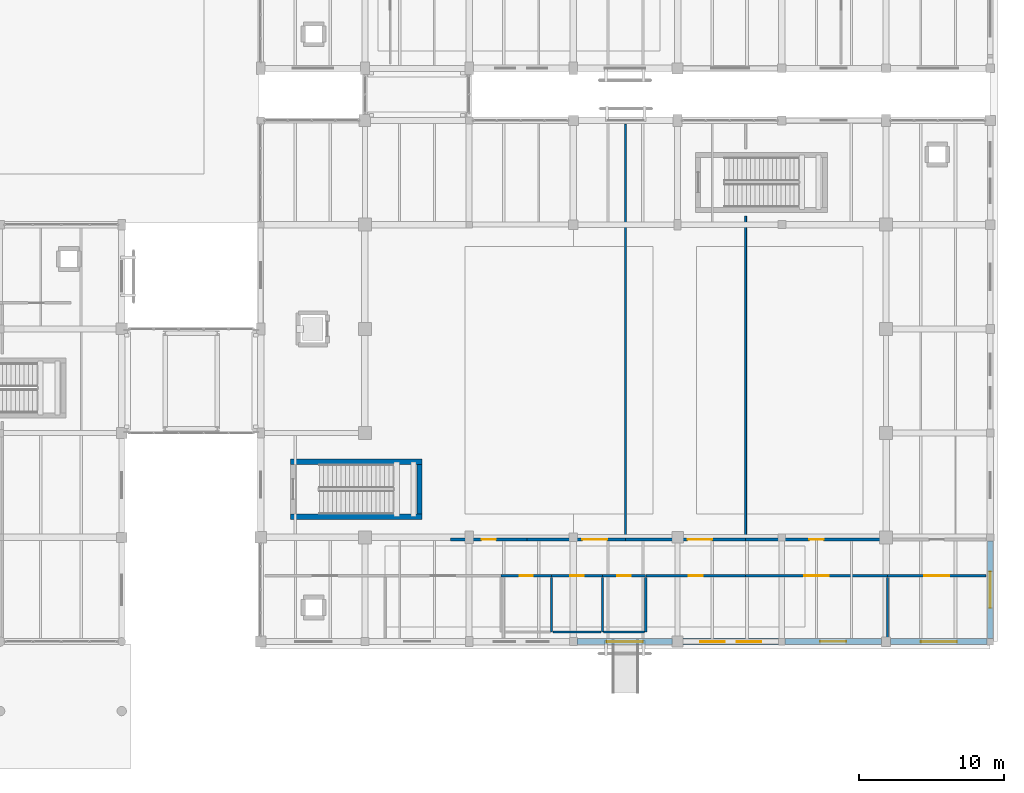
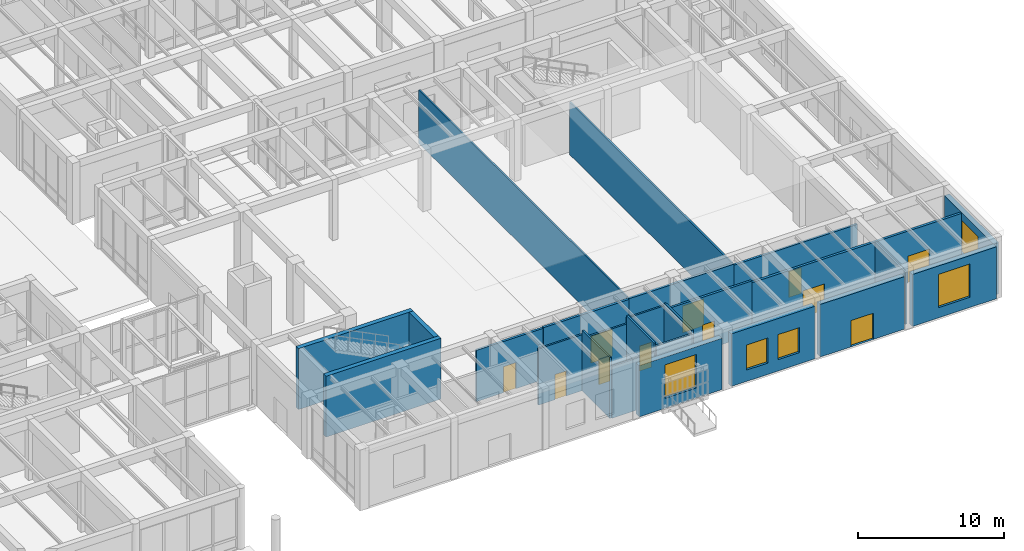
# One storey, part 129 of 169: 26 walls, 11 doors, 5 windows, 16 openings.
"""IFC4 building model written with IfcOpenShell, lengths in metres."""

import ifcopenshell
import ifcopenshell.guid

model = None  # the IFC model being written
_history = None  # IfcOwnerHistory: only IFC2X3 demands one
_inside = {}  # id of a spatial element -> (the spatial element, [elements in it])
_under = {}  # id of a project, library or spatial element -> (it, [spatial elements below it])
_declared = {}  # id of a project -> (the project, [libraries it declares])
_typed = {}  # id of a type object -> (the type object, [elements of that type])
_made_of = {}  # id of a material, layer set ... -> (it, [elements and type objects made of it])


def new_model(schema):
    """Start an empty IFC model of exactly this schema.

    Asked for "IFC4X3", IfcOpenShell would pick the latest addendum, in which some entities
    have other attributes; the version numbers below select the first issue.
    IFC2X3 requires an IfcOwnerHistory on every rooted entity: one is made here for all.
    """
    global model, _history
    if schema == "IFC4X3":
        model = ifcopenshell.file(schema_version=(4, 3, 0, 0))
    else:
        model = ifcopenshell.file(schema=schema)
    _inside.clear()
    _under.clear()
    _declared.clear()
    _typed.clear()
    _made_of.clear()
    _history = None
    if model.schema == "IFC2X3":
        org = make("IfcOrganization", Name="unknown")
        user = make(
            "IfcPersonAndOrganization",
            ThePerson=make("IfcPerson", FamilyName="unknown"),
            TheOrganization=org,
        )
        app = make(
            "IfcApplication",
            ApplicationDeveloper=org,
            Version="unknown",
            ApplicationFullName="unknown",
            ApplicationIdentifier="unknown",
        )
        _history = make(
            "IfcOwnerHistory",
            OwningUser=user,
            OwningApplication=app,
            ChangeAction="ADDED",
            CreationDate=0,
        )
    return model


def make(cls, **values):
    """One entity of the class cls with the attributes given. An attribute that is None is left unset."""
    return model.create_entity(
        cls, **{name: value for name, value in values.items() if value is not None}
    )


def rooted(cls, **values):
    """An entity with a GlobalId (a new one), such as an element, a storey or a relation."""
    return make(cls, GlobalId=ifcopenshell.guid.new(), OwnerHistory=_history, **values)


def si_unit(unit_type, name, prefix=None):
    """IfcSIUnit, for example si_unit("LENGTHUNIT", "METRE", prefix="MILLI")."""
    return make("IfcSIUnit", UnitType=unit_type, Prefix=prefix, Name=name)


def assignment(units):
    """IfcUnitAssignment: the units of a project."""
    return None if units is None else make("IfcUnitAssignment", Units=units)


def point(xyz):
    """IfcCartesianPoint."""
    return None if xyz is None else make("IfcCartesianPoint", Coordinates=xyz)


def direction(xyz):
    """IfcDirection."""
    return None if xyz is None else make("IfcDirection", DirectionRatios=xyz)


def frame(location, z_axis=None, x_axis=None):
    """IfcAxis2Placement3D, a coordinate frame: its origin and axes. An axis left out is left unset."""
    return make(
        "IfcAxis2Placement3D",
        Location=point(location),
        Axis=direction(z_axis),
        RefDirection=direction(x_axis),
    )


def frame_2d(location, x_axis=None):
    """IfcAxis2Placement2D, a coordinate frame in the plane: its origin and x axis."""
    return make(
        "IfcAxis2Placement2D", Location=point(location), RefDirection=direction(x_axis)
    )


def origin():
    """The frame at (0, 0, 0) with its axes left unset."""
    return frame((0.0, 0.0, 0.0))


def place(relative_to, where):
    """IfcLocalPlacement: puts the frame where relative to a parent placement (None: the world)."""
    return make(
        "IfcLocalPlacement", PlacementRelTo=relative_to, RelativePlacement=where
    )


def context(
    kind, dimensions, precision=None, world=None, true_north=None, identifier=None
):
    """IfcGeometricRepresentationContext, for example the 3D "Model" context."""
    return make(
        "IfcGeometricRepresentationContext",
        ContextIdentifier=identifier,
        ContextType=kind,
        CoordinateSpaceDimension=dimensions,
        Precision=precision,
        WorldCoordinateSystem=world,
        TrueNorth=true_north,
    )


def subcontext(parent, identifier, kind, view, scale=None):
    """IfcGeometricRepresentationSubContext, for example "Body" below "Model"."""
    return make(
        "IfcGeometricRepresentationSubContext",
        ContextIdentifier=identifier,
        ContextType=kind,
        ParentContext=parent,
        TargetScale=scale,
        TargetView=view,
    )


def project(units=None, contexts=None):
    """IfcProject with its units and contexts."""
    return rooted(
        "IfcProject",
        Name="project",
        RepresentationContexts=contexts,
        UnitsInContext=assignment(units),
    )


def spatial(cls, under=None, at=None, **own):
    """A site, building, storey or space (cls), placed at a placement, below another one or the project."""
    s = rooted(cls, ObjectPlacement=at, **own)
    if under is not None:
        _under.setdefault(under.id(), (under, []))[1].append(s)
    return s


def profile(cls, at=None, kind="AREA", **sizes):
    """A parametric profile (cls). Its sizes go by their IFC names, for example OverallWidth=200.0."""
    return make(cls, ProfileType=kind, Position=at, **sizes)


def rectangle(**sizes):
    """IfcRectangleProfileDef."""
    return profile("IfcRectangleProfileDef", **sizes)


def extrude(swept, where, along, depth):
    """IfcExtrudedAreaSolid: the profile swept, set in the frame where, extruded along a direction by depth."""
    return make(
        "IfcExtrudedAreaSolid",
        SweptArea=swept,
        Position=where,
        ExtrudedDirection=direction(along),
        Depth=depth,
    )


def shape(context_of_items, identifier, shape_type, items):
    """IfcShapeRepresentation: the items that make up one representation, for example the "Body"."""
    return make(
        "IfcShapeRepresentation",
        ContextOfItems=context_of_items,
        RepresentationIdentifier=identifier,
        RepresentationType=shape_type,
        Items=items,
    )


def material(Name=None, Category=None):
    """IfcMaterial."""
    return make("IfcMaterial", Name=Name, Category=Category)


def layer(
    of_material, thickness, ventilated=None, Name=None, Category=None, Priority=None
):
    """IfcMaterialLayer: one layer of a wall or slab, of a material (None: an air gap)."""
    return make(
        "IfcMaterialLayer",
        Material=of_material,
        LayerThickness=thickness,
        IsVentilated=ventilated,
        Name=Name,
        Category=Category,
        Priority=Priority,
    )


def layer_set(layers, Name=None):
    """IfcMaterialLayerSet."""
    return make("IfcMaterialLayerSet", MaterialLayers=layers, LayerSetName=Name)


def made_of(thing, what):
    """Note that an element or type object is made of a material, layer set ...; save() writes the relation."""
    if what is not None:
        _made_of.setdefault(what.id(), (what, []))[1].append(thing)
    return thing


def type_object(cls, material=None, **own):
    """A type object (cls), such as IfcWallType, which elements share."""
    return made_of(rooted(cls, **own), material)


def element(
    cls,
    number,
    at=None,
    inside=None,
    cuts=None,
    type_object=None,
    material=None,
    context=None,
    identifier="Body",
    shape_type=None,
    held_by="IfcProductDefinitionShape",
    body=None,
    shapes=None,
    **own,
):
    """One element of the class cls, such as IfcWall. Its Tag is "e" and its number.

    at: its placement. inside: the storey or other place that contains it. cuts: it is an
    opening in that element (IfcRelVoidsElement). A single representation is given by context,
    identifier, shape_type and body (its items); several are given by shapes. held_by: the class
    of the entity that holds the representations. save() writes the other relations.
    """
    e = rooted(cls, Tag="e%d" % number, ObjectPlacement=at, **own)
    if body is not None:
        shapes = [shape(context, identifier, shape_type, body)]
    if shapes is not None:
        e.Representation = make(held_by, Representations=shapes)
    if inside is not None:
        _inside.setdefault(inside.id(), (inside, []))[1].append(e)
    if cuts is not None:
        rooted(
            "IfcRelVoidsElement", RelatingBuildingElement=cuts, RelatedOpeningElement=e
        )
    if type_object is not None:
        _typed.setdefault(type_object.id(), (type_object, []))[1].append(e)
    return made_of(e, material)


def fill(opening, filler):
    """IfcRelFillsElement: the door or window that sits in an opening."""
    return rooted(
        "IfcRelFillsElement",
        RelatingOpeningElement=opening,
        RelatedBuildingElement=filler,
    )


def aggregate(whole, parts):
    """IfcRelAggregates: a whole, such as a stair, and the parts it consists of."""
    return rooted("IfcRelAggregates", RelatingObject=whole, RelatedObjects=parts)


def save(model, path):
    """Write the relations noted so far, then the file.

    IfcRelAggregates (storeys below a building ...), IfcRelContainedInSpatialStructure (elements
    in a storey), IfcRelDefinesByType, IfcRelAssociatesMaterial and IfcRelDeclares: one each for
    every whole, place, type object, material and project.
    """
    for whole, parts in _under.values():
        aggregate(whole, parts)
    for where, things in _inside.values():
        rooted(
            "IfcRelContainedInSpatialStructure",
            RelatedElements=things,
            RelatingStructure=where,
        )
    for kind, things in _typed.values():
        rooted("IfcRelDefinesByType", RelatedObjects=things, RelatingType=kind)
    for what, things in _made_of.values():
        rooted("IfcRelAssociatesMaterial", RelatedObjects=things, RelatingMaterial=what)
    for by, libraries in _declared.values():
        rooted("IfcRelDeclares", RelatingContext=by, RelatedDefinitions=libraries)
    model.write(path)


model = new_model("IFC4")

# Units and contexts
model_context = context("Model", 3, precision=1e-05, world=origin(), true_north=direction((0.0, 1.0)))
body_context = subcontext(model_context, "Body", "Model", "MODEL_VIEW")
ifc_project = project(units=[si_unit("LENGTHUNIT", "METRE"), si_unit("AREAUNIT", "SQUARE_METRE"), si_unit("VOLUMEUNIT", "CUBIC_METRE"), si_unit("PLANEANGLEUNIT", "RADIAN"), si_unit("MASSUNIT", "GRAM", prefix="KILO")], contexts=[model_context])

# Site, building, storey
site_placement = place(None, origin())
site = spatial("IfcSite", under=ifc_project, at=site_placement, CompositionType="ELEMENT")
building_placement = place(site_placement, origin())
building = spatial("IfcBuilding", under=site, at=building_placement, Name="Mazaris Harbour Polytechnic", CompositionType="ELEMENT")
storey_placement = place(building_placement, origin())
storey = spatial("IfcBuildingStorey", under=building, at=storey_placement, Name="L00", CompositionType="ELEMENT", Elevation=0.0)

# Walls
ifc_material_1 = material(Name="Gypsum Board and Mineral Wool")
ifc_layer_1 = layer(ifc_material_1, 0.1201171875, Name="Gypsum Board and Mineral Wool")
ifc_layer_set_1 = layer_set([ifc_layer_1], Name="Gypsum Board and Mineral Wool")
wall_type_1 = type_object("IfcWallType", Name="Acoustic Stud Partition 120", PredefinedType="PARTITIONING", material=ifc_layer_set_1)
wall_1_placement = place(storey_placement, frame((147.60009765625, 14.3701171875, 0.0), z_axis=(0.0, 0.0, 1.0), x_axis=(0.0, 1.0, 0.0)))
element("IfcWall", 1, at=wall_1_placement, inside=storey, type_object=wall_type_1, Name="V2 L00 Partition 113", PredefinedType="PARTITIONING", context=body_context, shape_type="SweptSolid", body=[
    extrude(rectangle(XDim=28.579833984375, YDim=0.1201171875, at=frame_2d((14.2900390625, 0.0))), origin(), (0.0, 0.0, 1.0), 4.449951171875),
])
ifc_material_2 = material(Name="Double Gypsum and Mineral Wool")
ifc_layer_2 = layer(ifc_material_2, 0.14990234375, Name="Double Gypsum and Mineral Wool")
ifc_layer_set_2 = layer_set([ifc_layer_2], Name="Double Gypsum and Mineral Wool")
wall_type_2 = type_object("IfcWallType", Name="Classroom Acoustic Partition 150", PredefinedType="PARTITIONING", material=ifc_layer_set_2)
wall_2_placement = place(storey_placement, frame((165.697021484375, 7.449951171875, 0.0), z_axis=(0.0, 0.0, 1.0), x_axis=(0.0, 1.0, 0.0)))
element("IfcWall", 2, at=wall_2_placement, inside=storey, type_object=wall_type_2, Name="V2 L00 Partition 109", PredefinedType="PARTITIONING", context=body_context, shape_type="SweptSolid", body=[
    extrude(rectangle(XDim=4.179931640625, YDim=0.14990234375, at=frame_2d((2.08984375, 0.0))), origin(), (0.0, 0.0, 1.0), 4.35009765625),
])

# Wall, opening, door
ifc_material_3 = material(Name="Terracotta Block and Plaster", Category="masonry")
ifc_layer_3 = layer(ifc_material_3, 0.179931640625, Name="Terracotta Block and Plaster")
ifc_layer_set_3 = layer_set([ifc_layer_3], Name="Terracotta Block and Plaster")
wall_type_3 = type_object("IfcWallType", Name="Corridor Fire Partition 180", PredefinedType="PARTITIONING", material=ifc_layer_set_3)
wall_3_placement = place(storey_placement, frame((149.0048828125, 11.75, 0.0), z_axis=(0.0, 0.0, 1.0), x_axis=(1.0, 0.0, 0.0)))
wall_3 = element("IfcWall", 3, at=wall_3_placement, inside=storey, type_object=wall_type_3, Name="V2 L00 Partition 107", PredefinedType="PARTITIONING", context=body_context, shape_type="SweptSolid", body=[
    extrude(rectangle(XDim=6.89501953125, YDim=0.179931640625, at=frame_2d((3.447509765625, 0.0))), origin(), (0.0, 0.0, 1.0), 4.5),
])
opening_1_placement = place(wall_3_placement, frame((2.95751953125, 0.0, 0.0)))
opening_1 = element("IfcOpeningElement", 4, at=opening_1_placement, cuts=wall_3, Name="Opening ID-08L", PredefinedType="OPENING", context=body_context, shape_type="SweptSolid", body=[
    extrude(rectangle(XDim=0.97998046875, YDim=2.179931640625, at=frame_2d((0.489990234375, 1.08984375))), frame((0.0, 0.099853515625, 0.0), z_axis=(0.0, -1.0, 0.0), x_axis=(1.0, 0.0, 0.0)), (0.0, 0.0, 1.0), 0.199951171875),
])
ifc_material_4 = material(Name="Solid Oak Timber", Category="wood")
door_type_1 = type_object("IfcDoorType", Name="Seminar Room Door LH 980x2180", OperationType="SINGLE_SWING_LEFT", PredefinedType="DOOR", material=ifc_material_4)
door_1_placement = place(opening_1_placement, origin())
door_1 = element("IfcDoor", 5, at=door_1_placement, inside=storey, type_object=door_type_1, Name="ID-0049", OperationType="SINGLE_SWING_LEFT", OverallHeight=2.179931640625, OverallWidth=0.97998046875, PredefinedType="DOOR", context=body_context, shape_type="SweptSolid", body=[
    extrude(rectangle(XDim=0.97998046875, YDim=2.179931640625, at=frame_2d((0.489990234375, 1.08984375))), frame((0.0, 0.02490234375, 0.0), z_axis=(0.0, -1.0, 0.0), x_axis=(1.0, 0.0, 0.0)), (0.0, 0.0, 1.0), 0.050048828125),
])
fill(opening_1, door_1)

wall_4_placement = place(storey_placement, frame((135.52001953125, 14.25, 0.0), z_axis=(0.0, 0.0, 1.0), x_axis=(1.0, 0.0, 0.0)))
wall_4 = element("IfcWall", 6, at=wall_4_placement, inside=storey, type_object=wall_type_3, Name="V2 L00 Partition 111", PredefinedType="PARTITIONING", context=body_context, shape_type="SweptSolid", body=[
    extrude(rectangle(XDim=5.277099609375, YDim=0.179931640625, at=frame_2d((2.638671875, 0.0))), origin(), (0.0, 0.0, 1.0), 4.300048828125),
])
opening_2_placement = place(wall_4_placement, frame((2.1484375, 0.0, 0.0)))
opening_2 = element("IfcOpeningElement", 7, at=opening_2_placement, cuts=wall_4, Name="Opening ID-08L", PredefinedType="OPENING", context=body_context, shape_type="SweptSolid", body=[
    extrude(rectangle(XDim=0.97998046875, YDim=2.179931640625, at=frame_2d((0.489990234375, 1.08984375))), frame((0.0, 0.099853515625, 0.0), z_axis=(0.0, -1.0, 0.0), x_axis=(1.0, 0.0, 0.0)), (0.0, 0.0, 1.0), 0.199951171875),
])
door_2_placement = place(opening_2_placement, origin())
door_2 = element("IfcDoor", 8, at=door_2_placement, inside=storey, type_object=door_type_1, Name="ID-0052", OperationType="SINGLE_SWING_LEFT", OverallHeight=2.179931640625, OverallWidth=0.97998046875, PredefinedType="DOOR", context=body_context, shape_type="SweptSolid", body=[
    extrude(rectangle(XDim=0.97998046875, YDim=2.179931640625, at=frame_2d((0.489990234375, 1.08984375))), frame((0.0, 0.02490234375, 0.0), z_axis=(0.0, -1.0, 0.0), x_axis=(1.0, 0.0, 0.0)), (0.0, 0.0, 1.0), 0.050048828125),
])
fill(opening_2, door_2)

wall_5_placement = place(storey_placement, frame((155.905029296875, 14.25, 0.0), z_axis=(0.0, 0.0, 1.0), x_axis=(1.0, 0.0, 0.0)))
wall_5 = element("IfcWall", 9, at=wall_5_placement, inside=storey, type_object=wall_type_3, Name="V2 L00 Partition 116", PredefinedType="PARTITIONING", context=body_context, shape_type="SweptSolid", body=[
    extrude(rectangle(XDim=9.7919921875, YDim=0.179931640625, at=frame_2d((4.89599609375, 0.0))), origin(), (0.0, 0.0, 1.0), 4.300048828125),
])
opening_3_placement = place(wall_5_placement, frame((4.40087890625, 0.0, 0.0)))
opening_3 = element("IfcOpeningElement", 10, at=opening_3_placement, cuts=wall_5, Name="Opening ID-08R", PredefinedType="OPENING", context=body_context, shape_type="SweptSolid", body=[
    extrude(rectangle(XDim=0.989990234375, YDim=2.179931640625, at=frame_2d((0.4951171875, 1.08984375))), frame((0.0, 0.099853515625, 0.0), z_axis=(0.0, -1.0, 0.0), x_axis=(1.0, 0.0, 0.0)), (0.0, 0.0, 1.0), 0.199951171875),
])
ifc_material_5 = material(Name="Solid Oak Timber", Category="wood")
door_type_2 = type_object("IfcDoorType", Name="Seminar Room Door RH 990x2180", OperationType="SINGLE_SWING_RIGHT", PredefinedType="DOOR", material=ifc_material_5)
door_3_placement = place(opening_3_placement, origin())
door_3 = element("IfcDoor", 11, at=door_3_placement, inside=storey, type_object=door_type_2, Name="ID-0055", OperationType="SINGLE_SWING_RIGHT", OverallHeight=2.179931640625, OverallWidth=0.989990234375, PredefinedType="DOOR", context=body_context, shape_type="SweptSolid", body=[
    extrude(rectangle(XDim=0.989990234375, YDim=2.179931640625, at=frame_2d((0.4951171875, 1.08984375))), frame((0.0, 0.02490234375, 0.0), z_axis=(0.0, -1.0, 0.0), x_axis=(1.0, 0.0, 0.0)), (0.0, 0.0, 1.0), 0.050048828125),
])
fill(opening_3, door_3)

ifc_material_6 = material(Name="High-Density Masonry and Mineral Wool", Category="masonry")
ifc_layer_4 = layer(ifc_material_6, 0.195068359375, Name="High-Density Masonry and Mineral Wool")
ifc_layer_set_4 = layer_set([ifc_layer_4], Name="High-Density Masonry and Mineral Wool")
wall_type_4 = type_object("IfcWallType", Name="Lecture Theatre Acoustic Wall 195", PredefinedType="PARTITIONING", material=ifc_layer_set_4)
wall_6_placement = place(storey_placement, frame((155.905029296875, 11.75, 0.0), z_axis=(0.0, 0.0, 1.0), x_axis=(1.0, 0.0, 0.0)))
wall_6 = element("IfcWall", 12, at=wall_6_placement, inside=storey, type_object=wall_type_4, Name="V2 L00 Partition 108", PredefinedType="PARTITIONING", context=body_context, shape_type="SweptSolid", body=[
    extrude(rectangle(XDim=9.7919921875, YDim=0.195068359375, at=frame_2d((4.89599609375, 0.0))), origin(), (0.0, 0.0, 1.0), 4.35009765625),
])
opening_4_placement = place(wall_6_placement, frame((4.0458984375, 0.0, 0.0)))
opening_4 = element("IfcOpeningElement", 13, at=opening_4_placement, cuts=wall_6, Name="Opening ID-04D", PredefinedType="OPENING", context=body_context, shape_type="SweptSolid", body=[
    extrude(rectangle(XDim=1.699951171875, YDim=2.25, at=frame_2d((0.85009765625, 1.125))), frame((0.0, 0.107421875, 0.0), z_axis=(0.0, -1.0, 0.0), x_axis=(1.0, 0.0, 0.0)), (0.0, 0.0, 1.0), 0.215087890625),
])
ifc_material_7 = material(Name="Acoustic Oak Timber", Category="wood")
door_type_3 = type_object("IfcDoorType", Name="Lecture Theatre Acoustic Double Door 1700x2250", OperationType="DOUBLE_DOOR_SINGLE_SWING", PredefinedType="DOOR", material=ifc_material_7)
door_4_placement = place(opening_4_placement, origin())
door_4 = element("IfcDoor", 14, at=door_4_placement, inside=storey, type_object=door_type_3, Name="ID-0050", OperationType="DOUBLE_DOOR_SINGLE_SWING", OverallHeight=2.25, OverallWidth=1.699951171875, PredefinedType="DOOR", context=body_context, shape_type="SweptSolid", body=[
    extrude(rectangle(XDim=1.699951171875, YDim=2.25, at=frame_2d((0.85009765625, 1.125))), frame((0.0, 0.02490234375, 0.0), z_axis=(0.0, -1.0, 0.0), x_axis=(1.0, 0.0, 0.0)), (0.0, 0.0, 1.0), 0.050048828125),
])
fill(opening_4, door_4)

wall_7_placement = place(storey_placement, frame((165.701904296875, 11.75, 0.0), z_axis=(0.0, 0.0, 1.0), x_axis=(1.0, 0.0, 0.0)))
wall_7 = element("IfcWall", 15, at=wall_7_placement, inside=storey, type_object=wall_type_4, Name="V2 L00 Partition 110", PredefinedType="PARTITIONING", context=body_context, shape_type="SweptSolid", body=[
    extrude(rectangle(XDim=6.798095703125, YDim=0.195068359375, at=frame_2d((3.39892578125, 0.0))), origin(), (0.0, 0.0, 1.0), 4.35009765625),
])
opening_5_placement = place(wall_7_placement, frame((2.549072265625, 0.0, 0.0)))
opening_5 = element("IfcOpeningElement", 16, at=opening_5_placement, cuts=wall_7, Name="Opening ID-04D", PredefinedType="OPENING", context=body_context, shape_type="SweptSolid", body=[
    extrude(rectangle(XDim=1.699951171875, YDim=2.25, at=frame_2d((0.85009765625, 1.125))), frame((0.0, 0.107421875, 0.0), z_axis=(0.0, -1.0, 0.0), x_axis=(1.0, 0.0, 0.0)), (0.0, 0.0, 1.0), 0.215087890625),
])
door_5_placement = place(opening_5_placement, origin())
door_5 = element("IfcDoor", 17, at=door_5_placement, inside=storey, type_object=door_type_3, Name="ID-0051", OperationType="DOUBLE_DOOR_SINGLE_SWING", OverallHeight=2.25, OverallWidth=1.699951171875, PredefinedType="DOOR", context=body_context, shape_type="SweptSolid", body=[
    extrude(rectangle(XDim=1.699951171875, YDim=2.25, at=frame_2d((0.85009765625, 1.125))), frame((0.0, 0.02490234375, 0.0), z_axis=(0.0, -1.0, 0.0), x_axis=(1.0, 0.0, 0.0)), (0.0, 0.0, 1.0), 0.050048828125),
])
fill(opening_5, door_5)

wall_8_placement = place(storey_placement, frame((140.802001953125, 14.25, 0.0), z_axis=(0.0, 0.0, 1.0), x_axis=(1.0, 0.0, 0.0)))
wall_8 = element("IfcWall", 18, at=wall_8_placement, inside=storey, type_object=wall_type_4, Name="V2 L00 Partition 112", PredefinedType="PARTITIONING", context=body_context, shape_type="SweptSolid", body=[
    extrude(rectangle(XDim=6.798095703125, YDim=0.195068359375, at=frame_2d((3.39892578125, 0.0))), origin(), (0.0, 0.0, 1.0), 4.35009765625),
])
opening_6_placement = place(wall_8_placement, frame((3.823486328125, 0.0, 0.0)))
opening_6 = element("IfcOpeningElement", 19, at=opening_6_placement, cuts=wall_8, Name="Opening ID-04D", PredefinedType="OPENING", context=body_context, shape_type="SweptSolid", body=[
    extrude(rectangle(XDim=1.699951171875, YDim=2.25, at=frame_2d((0.85009765625, 1.125))), frame((0.0, 0.107421875, 0.0), z_axis=(0.0, -1.0, 0.0), x_axis=(1.0, 0.0, 0.0)), (0.0, 0.0, 1.0), 0.215087890625),
])
door_6_placement = place(opening_6_placement, origin())
door_6 = element("IfcDoor", 20, at=door_6_placement, inside=storey, type_object=door_type_3, Name="ID-0053", OperationType="DOUBLE_DOOR_SINGLE_SWING", OverallHeight=2.25, OverallWidth=1.699951171875, PredefinedType="DOOR", context=body_context, shape_type="SweptSolid", body=[
    extrude(rectangle(XDim=1.699951171875, YDim=2.25, at=frame_2d((0.85009765625, 1.125))), frame((0.0, 0.02490234375, 0.0), z_axis=(0.0, -1.0, 0.0), x_axis=(1.0, 0.0, 0.0)), (0.0, 0.0, 1.0), 0.050048828125),
])
fill(opening_6, door_6)

wall_9_placement = place(storey_placement, frame((147.60498046875, 14.25, 0.0), z_axis=(0.0, 0.0, 1.0), x_axis=(1.0, 0.0, 0.0)))
wall_9 = element("IfcWall", 21, at=wall_9_placement, inside=storey, type_object=wall_type_4, Name="V2 L00 Partition 114", PredefinedType="PARTITIONING", context=body_context, shape_type="SweptSolid", body=[
    extrude(rectangle(XDim=8.294921875, YDim=0.195068359375, at=frame_2d((4.1474609375, 0.0))), origin(), (0.0, 0.0, 1.0), 4.39990234375),
])
opening_7_placement = place(wall_9_placement, frame((4.286865234375, 0.0, 0.0)))
opening_7 = element("IfcOpeningElement", 22, at=opening_7_placement, cuts=wall_9, Name="Opening ID-04D", PredefinedType="OPENING", context=body_context, shape_type="SweptSolid", body=[
    extrude(rectangle(XDim=1.699951171875, YDim=2.25, at=frame_2d((0.85009765625, 1.125))), frame((0.0, 0.107421875, 0.0), z_axis=(0.0, -1.0, 0.0), x_axis=(1.0, 0.0, 0.0)), (0.0, 0.0, 1.0), 0.215087890625),
])
door_7_placement = place(opening_7_placement, origin())
door_7 = element("IfcDoor", 23, at=door_7_placement, inside=storey, type_object=door_type_3, Name="ID-0054", OperationType="DOUBLE_DOOR_SINGLE_SWING", OverallHeight=2.25, OverallWidth=1.699951171875, PredefinedType="DOOR", context=body_context, shape_type="SweptSolid", body=[
    extrude(rectangle(XDim=1.699951171875, YDim=2.25, at=frame_2d((0.85009765625, 1.125))), frame((0.0, 0.02490234375, 0.0), z_axis=(0.0, -1.0, 0.0), x_axis=(1.0, 0.0, 0.0)), (0.0, 0.0, 1.0), 0.050048828125),
])
fill(opening_7, door_7)

# Wall, opening, window
ifc_material_8 = material(Name="Algerian Buff Limestone and Concrete C35/45", Category="masonry")
ifc_layer_5 = layer(ifc_material_8, 0.409912109375, Name="Algerian Buff Limestone and Concrete C35/45")
ifc_layer_set_5 = layer_set([ifc_layer_5], Name="Algerian Buff Limestone and Concrete C35/45")
wall_type_5 = type_object("IfcWallType", Name="Limestone Rusticated Base Wall 410", PredefinedType="STANDARD", material=ifc_layer_set_5)
wall_10_placement = place(storey_placement, frame((150.8330078125, 7.199951171875, 0.0), z_axis=(0.0, 0.0, 1.0), x_axis=(-1.0, 0.0, 0.0)))
wall_10 = element("IfcWall", 24, at=wall_10_placement, inside=storey, type_object=wall_type_5, Name="V2 L00 Exterior Wall 38", PredefinedType="STANDARD", context=body_context, shape_type="SweptSolid", body=[
    extrude(rectangle(XDim=6.56591796875, YDim=0.409912109375, at=frame_2d((3.282958984375, 0.0))), origin(), (0.0, 0.0, 1.0), 4.300048828125),
])
opening_8_placement = place(wall_10_placement, frame((2.032958984375, 0.0, 0.85009765625)))
opening_8 = element("IfcOpeningElement", 25, at=opening_8_placement, cuts=wall_10, Name="Opening WN-18", PredefinedType="OPENING", context=body_context, shape_type="SweptSolid", body=[
    extrude(rectangle(XDim=2.5, YDim=2.800048828125, at=frame_2d((1.25, 1.39990234375))), frame((0.0, 0.21484375, 0.0), z_axis=(0.0, -1.0, 0.0), x_axis=(1.0, 0.0, 0.0)), (0.0, 0.0, 1.0), 0.429931640625),
])
ifc_material_9 = material(Name="Thermally Broken Bronze Aluminium and Low-E Glass", Category="aluminium")
window_type_1 = type_object("IfcWindowType", Name="Pavilion Foyer Window 2500x2800", PartitioningType="DOUBLE_PANEL_VERTICAL", PredefinedType="WINDOW", material=ifc_material_9)
window_1_placement = place(opening_8_placement, origin())
window_1 = element("IfcWindow", 26, at=window_1_placement, inside=storey, type_object=window_type_1, Name="WN-0028", OverallHeight=2.800048828125, OverallWidth=2.5, PartitioningType="DOUBLE_PANEL_VERTICAL", PredefinedType="WINDOW", context=body_context, shape_type="SweptSolid", body=[
    extrude(rectangle(XDim=2.5, YDim=2.800048828125, at=frame_2d((1.25, 1.39990234375))), frame((0.0, 0.030029296875, 0.0), z_axis=(0.0, -1.0, 0.0), x_axis=(1.0, 0.0, 0.0)), (0.0, 0.0, 1.0), 0.06005859375),
])
fill(opening_8, window_1)

# Wall, openings, windows
wall_11_placement = place(storey_placement, frame((158.18310546875, 7.199951171875, 0.0), z_axis=(0.0, 0.0, 1.0), x_axis=(-1.0, 0.0, 0.0)))
wall_11 = element("IfcWall", 27, at=wall_11_placement, inside=storey, type_object=wall_type_5, Name="V2 L00 Exterior Wall 39", PredefinedType="STANDARD", context=body_context, shape_type="SweptSolid", body=[
    extrude(rectangle(XDim=6.6162109375, YDim=0.409912109375, at=frame_2d((3.30810546875, 0.0))), origin(), (0.0, 0.0, 1.0), 4.39990234375),
])
opening_9_placement = place(wall_11_placement, frame((1.2080078125, 0.0, 0.949951171875)))
opening_9 = element("IfcOpeningElement", 28, at=opening_9_placement, cuts=wall_11, Name="Opening WN-11", PredefinedType="OPENING", context=body_context, shape_type="SweptSolid", body=[
    extrude(rectangle(XDim=1.699951171875, YDim=2.10009765625, at=frame_2d((0.85009765625, 1.050048828125))), frame((0.0, 0.21484375, 0.0), z_axis=(0.0, -1.0, 0.0), x_axis=(1.0, 0.0, 0.0)), (0.0, 0.0, 1.0), 0.429931640625),
])
opening_10_placement = place(wall_11_placement, frame((3.7080078125, 0.0, 0.949951171875)))
opening_10 = element("IfcOpeningElement", 29, at=opening_10_placement, cuts=wall_11, Name="Opening WN-11", PredefinedType="OPENING", context=body_context, shape_type="SweptSolid", body=[
    extrude(rectangle(XDim=1.699951171875, YDim=2.10009765625, at=frame_2d((0.85009765625, 1.050048828125))), frame((0.0, 0.21484375, 0.0), z_axis=(0.0, -1.0, 0.0), x_axis=(1.0, 0.0, 0.0)), (0.0, 0.0, 1.0), 0.429931640625),
])
ifc_material_10 = material(Name="Thermally Broken Bronze Aluminium and Low-E Glass", Category="aluminium")
window_type_2 = type_object("IfcWindowType", Name="Seminar Casement Window 1700x2100", PartitioningType="DOUBLE_PANEL_VERTICAL", PredefinedType="WINDOW", material=ifc_material_10)
window_2_placement = place(opening_9_placement, origin())
window_2 = element("IfcWindow", 30, at=window_2_placement, inside=storey, type_object=window_type_2, Name="WN-0029", OverallHeight=2.10009765625, OverallWidth=1.699951171875, PartitioningType="DOUBLE_PANEL_VERTICAL", PredefinedType="WINDOW", context=body_context, shape_type="SweptSolid", body=[
    extrude(rectangle(XDim=1.699951171875, YDim=2.10009765625, at=frame_2d((0.85009765625, 1.050048828125))), frame((0.0, 0.030029296875, 0.0), z_axis=(0.0, -1.0, 0.0), x_axis=(1.0, 0.0, 0.0)), (0.0, 0.0, 1.0), 0.06005859375),
])
fill(opening_9, window_2)
window_3_placement = place(opening_10_placement, origin())
window_3 = element("IfcWindow", 31, at=window_3_placement, inside=storey, type_object=window_type_2, Name="WN-0030", OverallHeight=2.10009765625, OverallWidth=1.699951171875, PartitioningType="DOUBLE_PANEL_VERTICAL", PredefinedType="WINDOW", context=body_context, shape_type="SweptSolid", body=[
    extrude(rectangle(XDim=1.699951171875, YDim=2.10009765625, at=frame_2d((0.85009765625, 1.050048828125))), frame((0.0, 0.030029296875, 0.0), z_axis=(0.0, -1.0, 0.0), x_axis=(1.0, 0.0, 0.0)), (0.0, 0.0, 1.0), 0.06005859375),
])
fill(opening_10, window_3)

# Wall, opening, door
wall_12_placement = place(storey_placement, frame((165.282958984375, 7.199951171875, 0.0), z_axis=(0.0, 0.0, 1.0), x_axis=(-1.0, 0.0, 0.0)))
wall_12 = element("IfcWall", 32, at=wall_12_placement, inside=storey, type_object=wall_type_5, Name="V2 L00 Exterior Wall 40", PredefinedType="STANDARD", context=body_context, shape_type="SweptSolid", body=[
    extrude(rectangle(XDim=6.666015625, YDim=0.409912109375, at=frame_2d((3.3330078125, 0.0))), origin(), (0.0, 0.0, 1.0), 4.39990234375),
])
opening_11_placement = place(wall_12_placement, frame((2.43310546875, 0.0, 0.0)))
opening_11 = element("IfcOpeningElement", 33, at=opening_11_placement, cuts=wall_12, Name="Opening ED-03", PredefinedType="OPENING", context=body_context, shape_type="SweptSolid", body=[
    extrude(rectangle(XDim=1.800048828125, YDim=2.199951171875, at=frame_2d((0.89990234375, 1.10009765625))), frame((0.0, 0.21484375, 0.0), z_axis=(0.0, -1.0, 0.0), x_axis=(1.0, 0.0, 0.0)), (0.0, 0.0, 1.0), 0.429931640625),
])
ifc_material_11 = material(Name="Anodised Bronze Steel and Laminated Safety Glass", Category="steel")
door_type_4 = type_object("IfcDoorType", Name="Perimeter Final Exit Door 1800x2200", OperationType="DOUBLE_DOOR_SINGLE_SWING", PredefinedType="DOOR", material=ifc_material_11)
door_8_placement = place(opening_11_placement, origin())
door_8 = element("IfcDoor", 34, at=door_8_placement, inside=storey, type_object=door_type_4, Name="EXD-008", OperationType="DOUBLE_DOOR_SINGLE_SWING", OverallHeight=2.199951171875, OverallWidth=1.800048828125, PredefinedType="DOOR", context=body_context, shape_type="SweptSolid", body=[
    extrude(rectangle(XDim=1.800048828125, YDim=2.199951171875, at=frame_2d((0.89990234375, 1.10009765625))), frame((0.0, 0.02490234375, 0.0), z_axis=(0.0, -1.0, 0.0), x_axis=(1.0, 0.0, 0.0)), (0.0, 0.0, 1.0), 0.050048828125),
])
fill(opening_11, door_8)

# Wall, opening, window
wall_13_placement = place(storey_placement, frame((172.5830078125, 7.199951171875, 0.0), z_axis=(0.0, 0.0, 1.0), x_axis=(-1.0, 0.0, 0.0)))
wall_13 = element("IfcWall", 35, at=wall_13_placement, inside=storey, type_object=wall_type_5, Name="V2 L00 Exterior Wall 41", PredefinedType="STANDARD", context=body_context, shape_type="SweptSolid", body=[
    extrude(rectangle(XDim=6.666015625, YDim=0.409912109375, at=frame_2d((3.3330078125, 0.0))), origin(), (0.0, 0.0, 1.0), 4.35009765625),
])
opening_12_placement = place(wall_13_placement, frame((2.0830078125, 0.0, 0.85009765625)))
opening_12 = element("IfcOpeningElement", 36, at=opening_12_placement, cuts=wall_13, Name="Opening WN-18", PredefinedType="OPENING", context=body_context, shape_type="SweptSolid", body=[
    extrude(rectangle(XDim=2.5, YDim=2.800048828125, at=frame_2d((1.25, 1.39990234375))), frame((0.0, 0.21484375, 0.0), z_axis=(0.0, -1.0, 0.0), x_axis=(1.0, 0.0, 0.0)), (0.0, 0.0, 1.0), 0.429931640625),
])
window_4_placement = place(opening_12_placement, origin())
window_4 = element("IfcWindow", 37, at=window_4_placement, inside=storey, type_object=window_type_1, Name="WN-0031", OverallHeight=2.800048828125, OverallWidth=2.5, PartitioningType="DOUBLE_PANEL_VERTICAL", PredefinedType="WINDOW", context=body_context, shape_type="SweptSolid", body=[
    extrude(rectangle(XDim=2.5, YDim=2.800048828125, at=frame_2d((1.25, 1.39990234375))), frame((0.0, 0.030029296875, 0.0), z_axis=(0.0, -1.0, 0.0), x_axis=(1.0, 0.0, 0.0)), (0.0, 0.0, 1.0), 0.06005859375),
])
fill(opening_12, window_4)

wall_14_placement = place(storey_placement, frame((172.800048828125, 14.157958984375, 0.0), z_axis=(0.0, 0.0, 1.0), x_axis=(0.0, -1.0, 0.0)))
wall_14 = element("IfcWall", 38, at=wall_14_placement, inside=storey, type_object=wall_type_5, Name="V2 L00 Exterior Wall 46", PredefinedType="STANDARD", context=body_context, shape_type="SweptSolid", body=[
    extrude(rectangle(XDim=6.740966796875, YDim=0.409912109375, at=frame_2d((3.37060546875, 0.0))), origin(), (0.0, 0.0, 1.0), 4.300048828125),
])
opening_13_placement = place(wall_14_placement, frame((2.12060546875, 0.0, 0.85009765625)))
opening_13 = element("IfcOpeningElement", 39, at=opening_13_placement, cuts=wall_14, Name="Opening WN-18", PredefinedType="OPENING", context=body_context, shape_type="SweptSolid", body=[
    extrude(rectangle(XDim=2.5, YDim=2.800048828125, at=frame_2d((1.25, 1.39990234375))), frame((0.0, 0.21484375, 0.0), z_axis=(0.0, -1.0, 0.0), x_axis=(1.0, 0.0, 0.0)), (0.0, 0.0, 1.0), 0.429931640625),
])
window_5_placement = place(opening_13_placement, origin())
window_5 = element("IfcWindow", 40, at=window_5_placement, inside=storey, type_object=window_type_1, Name="WN-0033", OverallHeight=2.800048828125, OverallWidth=2.5, PartitioningType="DOUBLE_PANEL_VERTICAL", PredefinedType="WINDOW", context=body_context, shape_type="SweptSolid", body=[
    extrude(rectangle(XDim=2.5, YDim=2.800048828125, at=frame_2d((1.25, 1.39990234375))), frame((0.0, 0.030029296875, 0.0), z_axis=(0.0, -1.0, 0.0), x_axis=(1.0, 0.0, 0.0)), (0.0, 0.0, 1.0), 0.06005859375),
])
fill(opening_13, window_5)

# Walls
ifc_material_12 = material(Name="Concrete C40/50", Category="concrete")
ifc_layer_6 = layer(ifc_material_12, 0.35009765625, Name="Concrete C40/50")
ifc_layer_set_6 = layer_set([ifc_layer_6], Name="Concrete C40/50")
wall_type_6 = type_object("IfcWallType", Name="RC Core Shear Wall 350", PredefinedType="SHEAR", material=ifc_layer_set_6)
for number, where, z_axis, x_axis, name in (
    (41, (124.449951171875, 15.824951171875, 0.0), (0.0, 0.0, 1.0), (1.0, 0.0, 0.0), "Core ST03 L00 Shear Wall S"),
    (42, (133.550048828125, 19.625, 0.0), (0.0, 0.0, 1.0), (-1.0, 0.0, 0.0), "Core ST03 L00 Shear Wall N"),
):
    element("IfcWall", number, at=place(storey_placement, frame(where, z_axis=z_axis, x_axis=x_axis)), inside=storey, type_object=wall_type_6, Name=name, PredefinedType="SHEAR", context=body_context, shape_type="SweptSolid", body=[
        extrude(rectangle(XDim=9.10009765625, YDim=0.35009765625, at=frame_2d((4.550048828125, 0.0))), origin(), (0.0, 0.0, 1.0), 5.10009765625),
    ])
wall_15_placement = place(storey_placement, frame((133.375, 16.0, 0.0), z_axis=(0.0, 0.0, 1.0), x_axis=(0.0, 1.0, 0.0)))
element("IfcWall", 43, at=wall_15_placement, inside=storey, type_object=wall_type_6, Name="Core ST03 L00 Shear Wall E", PredefinedType="SHEAR", context=body_context, shape_type="SweptSolid", body=[
    extrude(rectangle(XDim=3.449951171875, YDim=0.35009765625, at=frame_2d((1.72509765625, 0.0))), origin(), (0.0, 0.0, 1.0), 5.10009765625),
])

# Wall, opening, door
ifc_material_13 = material(Name="Moisture-Resistant Gypsum and Steel Stud", Category="steel")
ifc_layer_7 = layer(ifc_material_13, 0.14501953125, Name="Moisture-Resistant Gypsum and Steel Stud")
ifc_layer_set_7 = layer_set([ifc_layer_7], Name="Moisture-Resistant Gypsum and Steel Stud")
wall_type_7 = type_object("IfcWallType", Name="Sanitary Plumbing Wall 145", PredefinedType="PLUMBINGWALL", material=ifc_layer_set_7)
wall_16_placement = place(storey_placement, frame((139.0, 11.75, 0.0), z_axis=(0.0, 0.0, 1.0), x_axis=(1.0, 0.0, 0.0)))
wall_16 = element("IfcWall", 44, at=wall_16_placement, inside=storey, type_object=wall_type_7, Name="V2 L00 Partition 96", PredefinedType="PLUMBINGWALL", context=body_context, shape_type="SweptSolid", body=[
    extrude(rectangle(XDim=3.5, YDim=0.14501953125, at=frame_2d((1.75, 0.0))), origin(), (0.0, 0.0, 1.0), 4.699951171875),
])
opening_14_placement = place(wall_16_placement, frame((1.300048828125, 0.0, 0.0)))
opening_14 = element("IfcOpeningElement", 45, at=opening_14_placement, cuts=wall_16, Name="Opening ID-07R", PredefinedType="OPENING", context=body_context, shape_type="SweptSolid", body=[
    extrude(rectangle(XDim=0.89990234375, YDim=2.10009765625, at=frame_2d((0.449951171875, 1.050048828125))), frame((0.0, 0.08251953125, 0.0), z_axis=(0.0, -1.0, 0.0), x_axis=(1.0, 0.0, 0.0)), (0.0, 0.0, 1.0), 0.1650390625),
])
ifc_material_14 = material(Name="Moisture-Resistant Laminate Timber", Category="wood")
door_type_5 = type_object("IfcDoorType", Name="Sanitary Room Door RH 900x2100", OperationType="SINGLE_SWING_RIGHT", PredefinedType="DOOR", material=ifc_material_14)
door_9_placement = place(opening_14_placement, origin())
door_9 = element("IfcDoor", 46, at=door_9_placement, inside=storey, type_object=door_type_5, Name="ID-0044", OperationType="SINGLE_SWING_RIGHT", OverallHeight=2.10009765625, OverallWidth=0.89990234375, PredefinedType="DOOR", context=body_context, shape_type="SweptSolid", body=[
    extrude(rectangle(XDim=0.89990234375, YDim=2.10009765625, at=frame_2d((0.449951171875, 1.050048828125))), frame((0.0, 0.02490234375, 0.0), z_axis=(0.0, -1.0, 0.0), x_axis=(1.0, 0.0, 0.0)), (0.0, 0.0, 1.0), 0.050048828125),
])
fill(opening_14, door_9)

# Wall
wall_17_placement = place(storey_placement, frame((142.5, 7.85009765625, 0.0), z_axis=(0.0, 0.0, 1.0), x_axis=(0.0, 1.0, 0.0)))
element("IfcWall", 47, at=wall_17_placement, inside=storey, type_object=wall_type_7, Name="V2 L00 Partition 98", PredefinedType="PLUMBINGWALL", context=body_context, shape_type="SweptSolid", body=[
    extrude(rectangle(XDim=3.77978515625, YDim=0.14501953125, at=frame_2d((1.889892578125, 0.0))), origin(), (0.0, 0.0, 1.0), 5.10009765625),
])

# Wall, opening, door
wall_18_placement = place(storey_placement, frame((142.5048828125, 11.75, 0.0), z_axis=(0.0, 0.0, 1.0), x_axis=(1.0, 0.0, 0.0)))
wall_18 = element("IfcWall", 48, at=wall_18_placement, inside=storey, type_object=wall_type_7, Name="V2 L00 Partition 99", PredefinedType="PLUMBINGWALL", context=body_context, shape_type="SweptSolid", body=[
    extrude(rectangle(XDim=3.4951171875, YDim=0.14501953125, at=frame_2d((1.74755859375, 0.0))), origin(), (0.0, 0.0, 1.0), 4.35009765625),
])
opening_15_placement = place(wall_18_placement, frame((1.297607421875, 0.0, 0.0)))
opening_15 = element("IfcOpeningElement", 49, at=opening_15_placement, cuts=wall_18, Name="Opening ID-07R", PredefinedType="OPENING", context=body_context, shape_type="SweptSolid", body=[
    extrude(rectangle(XDim=0.89990234375, YDim=2.10009765625, at=frame_2d((0.449951171875, 1.050048828125))), frame((0.0, 0.08251953125, 0.0), z_axis=(0.0, -1.0, 0.0), x_axis=(1.0, 0.0, 0.0)), (0.0, 0.0, 1.0), 0.1650390625),
])
door_10_placement = place(opening_15_placement, origin())
door_10 = element("IfcDoor", 50, at=door_10_placement, inside=storey, type_object=door_type_5, Name="ID-0045", OperationType="SINGLE_SWING_RIGHT", OverallHeight=2.10009765625, OverallWidth=0.89990234375, PredefinedType="DOOR", context=body_context, shape_type="SweptSolid", body=[
    extrude(rectangle(XDim=0.89990234375, YDim=2.10009765625, at=frame_2d((0.449951171875, 1.050048828125))), frame((0.0, 0.02490234375, 0.0), z_axis=(0.0, -1.0, 0.0), x_axis=(1.0, 0.0, 0.0)), (0.0, 0.0, 1.0), 0.050048828125),
])
fill(opening_15, door_10)

# Wall
wall_19_placement = place(storey_placement, frame((146.0, 7.85009765625, 0.0), z_axis=(0.0, 0.0, 1.0), x_axis=(0.0, 1.0, 0.0)))
element("IfcWall", 51, at=wall_19_placement, inside=storey, type_object=wall_type_7, Name="V2 L00 Partition 100", PredefinedType="PLUMBINGWALL", context=body_context, shape_type="SweptSolid", body=[
    extrude(rectangle(XDim=3.77978515625, YDim=0.14501953125, at=frame_2d((1.889892578125, 0.0))), origin(), (0.0, 0.0, 1.0), 5.10009765625),
])

# Wall, opening, door
wall_20_placement = place(storey_placement, frame((146.0048828125, 11.75, 0.0), z_axis=(0.0, 0.0, 1.0), x_axis=(1.0, 0.0, 0.0)))
wall_20 = element("IfcWall", 52, at=wall_20_placement, inside=storey, type_object=wall_type_7, Name="V2 L00 Partition 101", PredefinedType="PLUMBINGWALL", context=body_context, shape_type="SweptSolid", body=[
    extrude(rectangle(XDim=2.9951171875, YDim=0.14501953125, at=frame_2d((1.49755859375, 0.0))), origin(), (0.0, 0.0, 1.0), 4.830078125),
])
opening_16_placement = place(wall_20_placement, frame((1.03759765625, 0.0, 0.0)))
opening_16 = element("IfcOpeningElement", 53, at=opening_16_placement, cuts=wall_20, Name="Opening ID-07L", PredefinedType="OPENING", context=body_context, shape_type="SweptSolid", body=[
    extrude(rectangle(XDim=0.919921875, YDim=2.10009765625, at=frame_2d((0.4599609375, 1.050048828125))), frame((0.0, 0.08251953125, 0.0), z_axis=(0.0, -1.0, 0.0), x_axis=(1.0, 0.0, 0.0)), (0.0, 0.0, 1.0), 0.1650390625),
])
ifc_material_15 = material(Name="Moisture-Resistant Laminate Timber", Category="wood")
door_type_6 = type_object("IfcDoorType", Name="Accessible Toilet Door LH 920x2100", OperationType="SINGLE_SWING_LEFT", PredefinedType="DOOR", material=ifc_material_15)
door_11_placement = place(opening_16_placement, origin())
door_11 = element("IfcDoor", 54, at=door_11_placement, inside=storey, type_object=door_type_6, Name="ID-0046", OperationType="SINGLE_SWING_LEFT", OverallHeight=2.10009765625, OverallWidth=0.919921875, PredefinedType="DOOR", context=body_context, shape_type="SweptSolid", body=[
    extrude(rectangle(XDim=0.919921875, YDim=2.10009765625, at=frame_2d((0.4599609375, 1.050048828125))), frame((0.0, 0.02490234375, 0.0), z_axis=(0.0, -1.0, 0.0), x_axis=(1.0, 0.0, 0.0)), (0.0, 0.0, 1.0), 0.050048828125),
])
fill(opening_16, door_11)

# Walls
wall_21_placement = place(storey_placement, frame((149.0, 7.85009765625, 0.0), z_axis=(0.0, 0.0, 1.0), x_axis=(0.0, 1.0, 0.0)))
element("IfcWall", 55, at=wall_21_placement, inside=storey, type_object=wall_type_7, Name="V2 L00 Partition 102", PredefinedType="PLUMBINGWALL", context=body_context, shape_type="SweptSolid", body=[
    extrude(rectangle(XDim=3.77978515625, YDim=0.14501953125, at=frame_2d((1.889892578125, 0.0))), origin(), (0.0, 0.0, 1.0), 5.10009765625),
])
wall_22_placement = place(storey_placement, frame((142.58251953125, 7.85498046875, 0.0), z_axis=(0.0, 0.0, 1.0), x_axis=(1.0, 0.0, 0.0)))
element("IfcWall", 56, at=wall_22_placement, inside=storey, type_object=wall_type_7, Name="V2 L00 Sanitary Partition 708", PredefinedType="PLUMBINGWALL", context=body_context, shape_type="SweptSolid", body=[
    extrude(rectangle(XDim=3.3349609375, YDim=0.14501953125, at=frame_2d((1.66748046875, 0.0))), origin(), (0.0, 0.0, 1.0), 4.35009765625),
])
wall_23_placement = place(storey_placement, frame((146.08251953125, 7.85498046875, 0.0), z_axis=(0.0, 0.0, 1.0), x_axis=(1.0, 0.0, 0.0)))
element("IfcWall", 57, at=wall_23_placement, inside=storey, type_object=wall_type_7, Name="V2 L00 Sanitary Partition 709", PredefinedType="PLUMBINGWALL", context=body_context, shape_type="SweptSolid", body=[
    extrude(rectangle(XDim=2.8349609375, YDim=0.14501953125, at=frame_2d((1.41748046875, 0.0))), origin(), (0.0, 0.0, 1.0), 4.830078125),
])
ifc_material_16 = material(Name="Gypsum Board and Mineral Wool")
ifc_layer_8 = layer(ifc_material_16, 0.135009765625, Name="Gypsum Board and Mineral Wool")
ifc_layer_set_8 = layer_set([ifc_layer_8], Name="Gypsum Board and Mineral Wool")
wall_type_8 = type_object("IfcWallType", Name="Studio Partition Wall 135", PredefinedType="PARTITIONING", material=ifc_layer_set_8)
wall_24_placement = place(storey_placement, frame((155.89990234375, 14.3701171875, 0.0), z_axis=(0.0, 0.0, 1.0), x_axis=(0.0, 1.0, 0.0)))
element("IfcWall", 58, at=wall_24_placement, inside=storey, type_object=wall_type_8, Name="V2 L00 Partition 115", PredefinedType="PARTITIONING", context=body_context, shape_type="SweptSolid", body=[
    extrude(rectangle(XDim=22.224853515625, YDim=0.135009765625, at=frame_2d((11.1123046875, 0.0))), origin(), (0.0, 0.0, 1.0), 4.39990234375),
])

save(model, "model.ifc")
